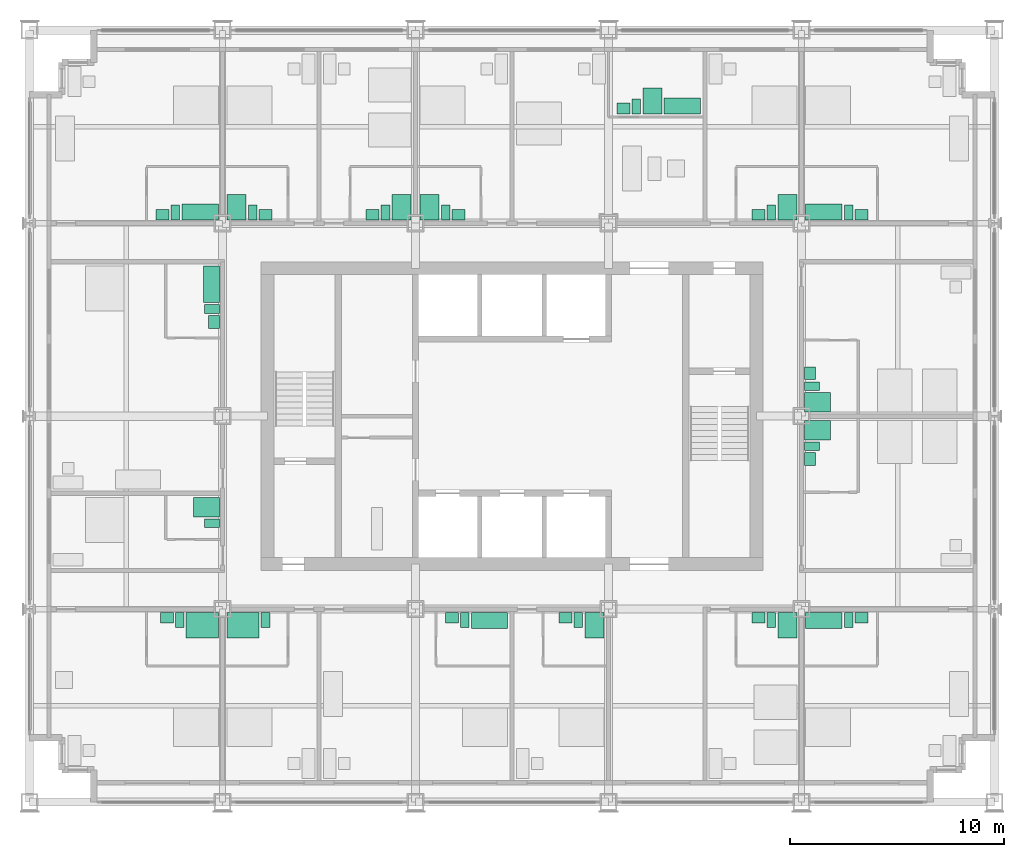
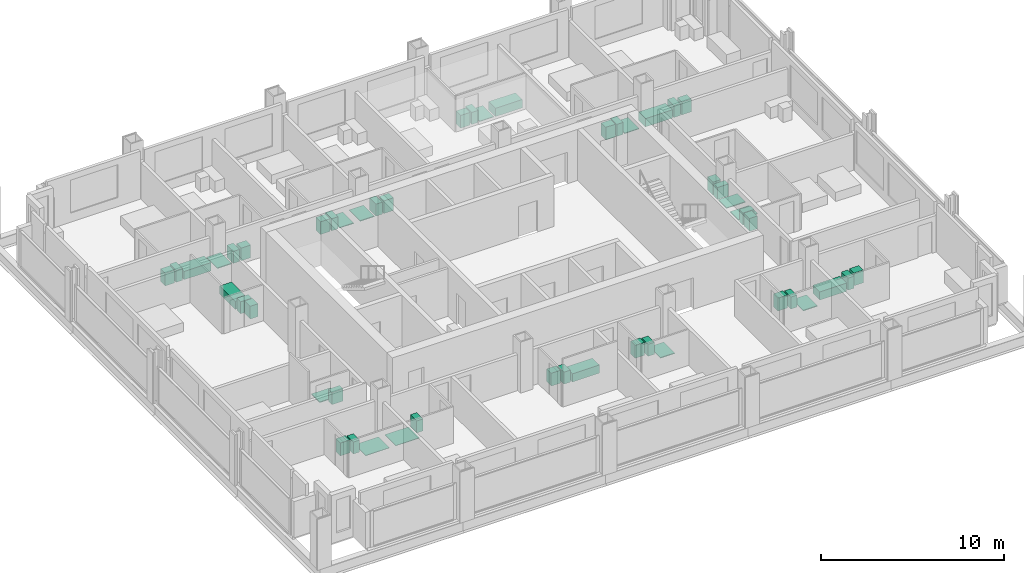
# One storey, part 15 of 16: 50 sanitary terminals.
"""IFC4 building model written with IfcOpenShell, lengths in metres."""

from ifc_helpers import new_model, si_unit, direction, frame, origin, origin_2d, place, context, subcontext, project, spatial, rectangle, extrude, element, save


model = new_model("IFC4")

# Units and contexts
model_context = context("Model", 3, precision=1e-05, world=origin(), true_north=direction((0.0, 1.0)))
body_context = subcontext(model_context, "Body", "Model", "MODEL_VIEW")
ifc_project = project(units=[si_unit("LENGTHUNIT", "METRE"), si_unit("AREAUNIT", "SQUARE_METRE"), si_unit("VOLUMEUNIT", "CUBIC_METRE"), si_unit("PLANEANGLEUNIT", "RADIAN"), si_unit("MASSUNIT", "GRAM", prefix="KILO")], contexts=[model_context])

# Site, building, storey
site_placement = place(None, origin())
site = spatial("IfcSite", under=ifc_project, at=site_placement, CompositionType="ELEMENT")
building_placement = place(site_placement, origin())
building = spatial("IfcBuilding", under=site, at=building_placement, Name="Loomwork Tower", CompositionType="ELEMENT")
storey_placement = place(building_placement, frame((0.0, 0.0, 104.39990234375)))
storey = spatial("IfcBuildingStorey", under=building, at=storey_placement, Name="L27", CompositionType="ELEMENT", Elevation=104.39990234375)

# Sanitary terminals
sanitary_terminal_1_placement = place(storey_placement, frame((8.050048828125, 8.25, 0.0), z_axis=(0.0, 0.0, 1.0), x_axis=(1.0, 0.0, 0.0)))
element("IfcSanitaryTerminal", 1, at=sanitary_terminal_1_placement, inside=storey, Name="Roll-in shower floor L27", PredefinedType="SHOWER", context=body_context, shape_type="SweptSolid", body=[
    extrude(rectangle(XDim=1.5, YDim=1.199951171875, at=origin_2d()), origin(), (0.0, 0.0, 1.0), 0.030029296875),
])
sanitary_terminal_2_placement = place(storey_placement, frame((7.0, 8.5, 0.0), z_axis=(0.0, 0.0, 1.0), x_axis=(1.0, 0.0, 0.0)))
element("IfcSanitaryTerminal", 2, at=sanitary_terminal_2_placement, inside=storey, Name="WC L27", PredefinedType="TOILETPAN", context=body_context, shape_type="SweptSolid", body=[
    extrude(rectangle(XDim=0.39990234375, YDim=0.699951171875, at=origin_2d()), origin(), (0.0, 0.0, 1.0), 0.800048828125),
])
sanitary_terminal_3_placement = place(storey_placement, frame((6.39990234375, 8.60009765625, 0.0), z_axis=(0.0, 0.0, 1.0), x_axis=(1.0, 0.0, 0.0)))
element("IfcSanitaryTerminal", 3, at=sanitary_terminal_3_placement, inside=storey, Name="Basin vanity L27", PredefinedType="WASHHANDBASIN", context=body_context, shape_type="SweptSolid", body=[
    extrude(rectangle(XDim=0.60009765625, YDim=0.5, at=origin_2d()), origin(), (0.0, 0.0, 1.0), 0.85009765625),
])
sanitary_terminal_4_placement = place(storey_placement, frame((9.949951171875, 8.25, 0.0), z_axis=(0.0, 0.0, 1.0), x_axis=(1.0, 0.0, 0.0)))
element("IfcSanitaryTerminal", 4, at=sanitary_terminal_4_placement, inside=storey, Name="Roll-in shower floor L27", PredefinedType="SHOWER", context=body_context, shape_type="SweptSolid", body=[
    extrude(rectangle(XDim=1.5, YDim=1.199951171875, at=origin_2d()), origin(), (0.0, 0.0, 1.0), 0.030029296875),
])
sanitary_terminal_5_placement = place(storey_placement, frame((11.0, 8.5, 0.0), z_axis=(0.0, 0.0, 1.0), x_axis=(1.0, 0.0, 0.0)))
element("IfcSanitaryTerminal", 5, at=sanitary_terminal_5_placement, inside=storey, Name="WC L27", PredefinedType="TOILETPAN", context=body_context, shape_type="SweptSolid", body=[
    extrude(rectangle(XDim=0.39990234375, YDim=0.699951171875, at=origin_2d()), origin(), (0.0, 0.0, 1.0), 0.800048828125),
])
sanitary_terminal_6_placement = place(storey_placement, frame((21.449951171875, 8.47509765625, 0.0), z_axis=(0.0, 0.0, 1.0), x_axis=(1.0, 0.0, 0.0)))
element("IfcSanitaryTerminal", 6, at=sanitary_terminal_6_placement, inside=storey, Name="Bath L27", PredefinedType="BATH", context=body_context, shape_type="SweptSolid", body=[
    extrude(rectangle(XDim=1.699951171875, YDim=0.75, at=origin_2d()), origin(), (0.0, 0.0, 1.0), 0.550048828125),
])
sanitary_terminal_7_placement = place(storey_placement, frame((20.300048828125, 8.5, 0.0), z_axis=(0.0, 0.0, 1.0), x_axis=(1.0, 0.0, 0.0)))
element("IfcSanitaryTerminal", 7, at=sanitary_terminal_7_placement, inside=storey, Name="WC L27", PredefinedType="TOILETPAN", context=body_context, shape_type="SweptSolid", body=[
    extrude(rectangle(XDim=0.39990234375, YDim=0.699951171875, at=origin_2d()), origin(), (0.0, 0.0, 1.0), 0.800048828125),
])
sanitary_terminal_8_placement = place(storey_placement, frame((19.699951171875, 8.60009765625, 0.0), z_axis=(0.0, 0.0, 1.0), x_axis=(1.0, 0.0, 0.0)))
element("IfcSanitaryTerminal", 8, at=sanitary_terminal_8_placement, inside=storey, Name="Basin vanity L27", PredefinedType="WASHHANDBASIN", context=body_context, shape_type="SweptSolid", body=[
    extrude(rectangle(XDim=0.60009765625, YDim=0.5, at=origin_2d()), origin(), (0.0, 0.0, 1.0), 0.85009765625),
])
sanitary_terminal_9_placement = place(storey_placement, frame((26.35009765625, 8.25, 0.0), z_axis=(0.0, 0.0, 1.0), x_axis=(1.0, 0.0, 0.0)))
element("IfcSanitaryTerminal", 9, at=sanitary_terminal_9_placement, inside=storey, Name="Shower tray L27", PredefinedType="SHOWER", context=body_context, shape_type="SweptSolid", body=[
    extrude(rectangle(XDim=0.89990234375, YDim=1.199951171875, at=origin_2d()), origin(), (0.0, 0.0, 1.0), 0.050048828125),
])
sanitary_terminal_10_placement = place(storey_placement, frame((25.60009765625, 8.5, 0.0), z_axis=(0.0, 0.0, 1.0), x_axis=(1.0, 0.0, 0.0)))
element("IfcSanitaryTerminal", 10, at=sanitary_terminal_10_placement, inside=storey, Name="WC L27", PredefinedType="TOILETPAN", context=body_context, shape_type="SweptSolid", body=[
    extrude(rectangle(XDim=0.39990234375, YDim=0.699951171875, at=origin_2d()), origin(), (0.0, 0.0, 1.0), 0.800048828125),
])
sanitary_terminal_11_placement = place(storey_placement, frame((25.0, 8.60009765625, 0.0), z_axis=(0.0, 0.0, 1.0), x_axis=(1.0, 0.0, 0.0)))
element("IfcSanitaryTerminal", 11, at=sanitary_terminal_11_placement, inside=storey, Name="Basin vanity L27", PredefinedType="WASHHANDBASIN", context=body_context, shape_type="SweptSolid", body=[
    extrude(rectangle(XDim=0.60009765625, YDim=0.5, at=origin_2d()), origin(), (0.0, 0.0, 1.0), 0.85009765625),
])
sanitary_terminal_12_placement = place(storey_placement, frame((35.35009765625, 8.25, 0.0), z_axis=(0.0, 0.0, 1.0), x_axis=(1.0, 0.0, 0.0)))
element("IfcSanitaryTerminal", 12, at=sanitary_terminal_12_placement, inside=storey, Name="Shower tray L27", PredefinedType="SHOWER", context=body_context, shape_type="SweptSolid", body=[
    extrude(rectangle(XDim=0.89990234375, YDim=1.199951171875, at=origin_2d()), origin(), (0.0, 0.0, 1.0), 0.050048828125),
])
sanitary_terminal_13_placement = place(storey_placement, frame((34.60009765625, 8.5, 0.0), z_axis=(0.0, 0.0, 1.0), x_axis=(1.0, 0.0, 0.0)))
element("IfcSanitaryTerminal", 13, at=sanitary_terminal_13_placement, inside=storey, Name="WC L27", PredefinedType="TOILETPAN", context=body_context, shape_type="SweptSolid", body=[
    extrude(rectangle(XDim=0.39990234375, YDim=0.699951171875, at=origin_2d()), origin(), (0.0, 0.0, 1.0), 0.800048828125),
])
sanitary_terminal_14_placement = place(storey_placement, frame((34.0, 8.60009765625, 0.0), z_axis=(0.0, 0.0, 1.0), x_axis=(1.0, 0.0, 0.0)))
element("IfcSanitaryTerminal", 14, at=sanitary_terminal_14_placement, inside=storey, Name="Basin vanity L27", PredefinedType="WASHHANDBASIN", context=body_context, shape_type="SweptSolid", body=[
    extrude(rectangle(XDim=0.60009765625, YDim=0.5, at=origin_2d()), origin(), (0.0, 0.0, 1.0), 0.85009765625),
])
sanitary_terminal_15_placement = place(storey_placement, frame((37.050048828125, 8.47509765625, 0.0), z_axis=(0.0, 0.0, 1.0), x_axis=(1.0, 0.0, 0.0)))
element("IfcSanitaryTerminal", 15, at=sanitary_terminal_15_placement, inside=storey, Name="Bath L27", PredefinedType="BATH", context=body_context, shape_type="SweptSolid", body=[
    extrude(rectangle(XDim=1.699951171875, YDim=0.75, at=origin_2d()), origin(), (0.0, 0.0, 1.0), 0.550048828125),
])
sanitary_terminal_16_placement = place(storey_placement, frame((38.199951171875, 8.5, 0.0), z_axis=(0.0, 0.0, 1.0), x_axis=(1.0, 0.0, 0.0)))
element("IfcSanitaryTerminal", 16, at=sanitary_terminal_16_placement, inside=storey, Name="WC L27", PredefinedType="TOILETPAN", context=body_context, shape_type="SweptSolid", body=[
    extrude(rectangle(XDim=0.39990234375, YDim=0.699951171875, at=origin_2d()), origin(), (0.0, 0.0, 1.0), 0.800048828125),
])
sanitary_terminal_17_placement = place(storey_placement, frame((38.800048828125, 8.60009765625, 0.0), z_axis=(0.0, 0.0, 1.0), x_axis=(1.0, 0.0, 0.0)))
element("IfcSanitaryTerminal", 17, at=sanitary_terminal_17_placement, inside=storey, Name="Basin vanity L27", PredefinedType="WASHHANDBASIN", context=body_context, shape_type="SweptSolid", body=[
    extrude(rectangle(XDim=0.60009765625, YDim=0.5, at=origin_2d()), origin(), (0.0, 0.0, 1.0), 0.85009765625),
])
sanitary_terminal_18_placement = place(storey_placement, frame((7.949951171875, 27.52490234375, 0.0), z_axis=(0.0, 0.0, 1.0), x_axis=(1.0, 0.0, 0.0)))
element("IfcSanitaryTerminal", 18, at=sanitary_terminal_18_placement, inside=storey, Name="Bath L27", PredefinedType="BATH", context=body_context, shape_type="SweptSolid", body=[
    extrude(rectangle(XDim=1.699951171875, YDim=0.75, at=origin_2d()), origin(), (0.0, 0.0, 1.0), 0.550048828125),
])
sanitary_terminal_19_placement = place(storey_placement, frame((6.800048828125, 27.5, 0.0), z_axis=(0.0, 0.0, 1.0), x_axis=(1.0, 0.0, 0.0)))
element("IfcSanitaryTerminal", 19, at=sanitary_terminal_19_placement, inside=storey, Name="WC L27", PredefinedType="TOILETPAN", context=body_context, shape_type="SweptSolid", body=[
    extrude(rectangle(XDim=0.39990234375, YDim=0.699951171875, at=origin_2d()), origin(), (0.0, 0.0, 1.0), 0.800048828125),
])
sanitary_terminal_20_placement = place(storey_placement, frame((6.199951171875, 27.39990234375, 0.0), z_axis=(0.0, 0.0, 1.0), x_axis=(1.0, 0.0, 0.0)))
element("IfcSanitaryTerminal", 20, at=sanitary_terminal_20_placement, inside=storey, Name="Basin vanity L27", PredefinedType="WASHHANDBASIN", context=body_context, shape_type="SweptSolid", body=[
    extrude(rectangle(XDim=0.60009765625, YDim=0.5, at=origin_2d()), origin(), (0.0, 0.0, 1.0), 0.85009765625),
])
sanitary_terminal_21_placement = place(storey_placement, frame((9.64990234375, 27.75, 0.0), z_axis=(0.0, 0.0, 1.0), x_axis=(1.0, 0.0, 0.0)))
element("IfcSanitaryTerminal", 21, at=sanitary_terminal_21_placement, inside=storey, Name="Shower tray L27", PredefinedType="SHOWER", context=body_context, shape_type="SweptSolid", body=[
    extrude(rectangle(XDim=0.89990234375, YDim=1.199951171875, at=origin_2d()), origin(), (0.0, 0.0, 1.0), 0.050048828125),
])
sanitary_terminal_22_placement = place(storey_placement, frame((10.39990234375, 27.5, 0.0), z_axis=(0.0, 0.0, 1.0), x_axis=(1.0, 0.0, 0.0)))
element("IfcSanitaryTerminal", 22, at=sanitary_terminal_22_placement, inside=storey, Name="WC L27", PredefinedType="TOILETPAN", context=body_context, shape_type="SweptSolid", body=[
    extrude(rectangle(XDim=0.39990234375, YDim=0.699951171875, at=origin_2d()), origin(), (0.0, 0.0, 1.0), 0.800048828125),
])
sanitary_terminal_23_placement = place(storey_placement, frame((11.0, 27.39990234375, 0.0), z_axis=(0.0, 0.0, 1.0), x_axis=(1.0, 0.0, 0.0)))
element("IfcSanitaryTerminal", 23, at=sanitary_terminal_23_placement, inside=storey, Name="Basin vanity L27", PredefinedType="WASHHANDBASIN", context=body_context, shape_type="SweptSolid", body=[
    extrude(rectangle(XDim=0.60009765625, YDim=0.5, at=origin_2d()), origin(), (0.0, 0.0, 1.0), 0.85009765625),
])
sanitary_terminal_24_placement = place(storey_placement, frame((17.35009765625, 27.75, 0.0), z_axis=(0.0, 0.0, 1.0), x_axis=(1.0, 0.0, 0.0)))
element("IfcSanitaryTerminal", 24, at=sanitary_terminal_24_placement, inside=storey, Name="Shower tray L27", PredefinedType="SHOWER", context=body_context, shape_type="SweptSolid", body=[
    extrude(rectangle(XDim=0.89990234375, YDim=1.199951171875, at=origin_2d()), origin(), (0.0, 0.0, 1.0), 0.050048828125),
])
sanitary_terminal_25_placement = place(storey_placement, frame((16.60009765625, 27.5, 0.0), z_axis=(0.0, 0.0, 1.0), x_axis=(1.0, 0.0, 0.0)))
element("IfcSanitaryTerminal", 25, at=sanitary_terminal_25_placement, inside=storey, Name="WC L27", PredefinedType="TOILETPAN", context=body_context, shape_type="SweptSolid", body=[
    extrude(rectangle(XDim=0.39990234375, YDim=0.699951171875, at=origin_2d()), origin(), (0.0, 0.0, 1.0), 0.800048828125),
])
sanitary_terminal_26_placement = place(storey_placement, frame((16.0, 27.39990234375, 0.0), z_axis=(0.0, 0.0, 1.0), x_axis=(1.0, 0.0, 0.0)))
element("IfcSanitaryTerminal", 26, at=sanitary_terminal_26_placement, inside=storey, Name="Basin vanity L27", PredefinedType="WASHHANDBASIN", context=body_context, shape_type="SweptSolid", body=[
    extrude(rectangle(XDim=0.60009765625, YDim=0.5, at=origin_2d()), origin(), (0.0, 0.0, 1.0), 0.85009765625),
])
sanitary_terminal_27_placement = place(storey_placement, frame((18.64990234375, 27.75, 0.0), z_axis=(0.0, 0.0, 1.0), x_axis=(1.0, 0.0, 0.0)))
element("IfcSanitaryTerminal", 27, at=sanitary_terminal_27_placement, inside=storey, Name="Shower tray L27", PredefinedType="SHOWER", context=body_context, shape_type="SweptSolid", body=[
    extrude(rectangle(XDim=0.89990234375, YDim=1.199951171875, at=origin_2d()), origin(), (0.0, 0.0, 1.0), 0.050048828125),
])
sanitary_terminal_28_placement = place(storey_placement, frame((19.39990234375, 27.5, 0.0), z_axis=(0.0, 0.0, 1.0), x_axis=(1.0, 0.0, 0.0)))
element("IfcSanitaryTerminal", 28, at=sanitary_terminal_28_placement, inside=storey, Name="WC L27", PredefinedType="TOILETPAN", context=body_context, shape_type="SweptSolid", body=[
    extrude(rectangle(XDim=0.39990234375, YDim=0.699951171875, at=origin_2d()), origin(), (0.0, 0.0, 1.0), 0.800048828125),
])
sanitary_terminal_29_placement = place(storey_placement, frame((20.0, 27.39990234375, 0.0), z_axis=(0.0, 0.0, 1.0), x_axis=(1.0, 0.0, 0.0)))
element("IfcSanitaryTerminal", 29, at=sanitary_terminal_29_placement, inside=storey, Name="Basin vanity L27", PredefinedType="WASHHANDBASIN", context=body_context, shape_type="SweptSolid", body=[
    extrude(rectangle(XDim=0.60009765625, YDim=0.5, at=origin_2d()), origin(), (0.0, 0.0, 1.0), 0.85009765625),
])
sanitary_terminal_30_placement = place(storey_placement, frame((30.449951171875, 32.47509765625, 0.0), z_axis=(0.0, 0.0, 1.0), x_axis=(1.0, 0.0, 0.0)))
element("IfcSanitaryTerminal", 30, at=sanitary_terminal_30_placement, inside=storey, Name="Bath L27", PredefinedType="BATH", context=body_context, shape_type="SweptSolid", body=[
    extrude(rectangle(XDim=1.699951171875, YDim=0.75, at=origin_2d()), origin(), (0.0, 0.0, 1.0), 0.550048828125),
])
sanitary_terminal_31_placement = place(storey_placement, frame((29.050048828125, 32.699951171875, 0.0), z_axis=(0.0, 0.0, 1.0), x_axis=(1.0, 0.0, 0.0)))
element("IfcSanitaryTerminal", 31, at=sanitary_terminal_31_placement, inside=storey, Name="Shower tray L27", PredefinedType="SHOWER", context=body_context, shape_type="SweptSolid", body=[
    extrude(rectangle(XDim=0.89990234375, YDim=1.199951171875, at=origin_2d()), origin(), (0.0, 0.0, 1.0), 0.050048828125),
])
sanitary_terminal_32_placement = place(storey_placement, frame((28.300048828125, 32.449951171875, 0.0), z_axis=(0.0, 0.0, 1.0), x_axis=(1.0, 0.0, 0.0)))
element("IfcSanitaryTerminal", 32, at=sanitary_terminal_32_placement, inside=storey, Name="WC L27", PredefinedType="TOILETPAN", context=body_context, shape_type="SweptSolid", body=[
    extrude(rectangle(XDim=0.39990234375, YDim=0.699951171875, at=origin_2d()), origin(), (0.0, 0.0, 1.0), 0.800048828125),
])
sanitary_terminal_33_placement = place(storey_placement, frame((27.699951171875, 32.35009765625, 0.0), z_axis=(0.0, 0.0, 1.0), x_axis=(1.0, 0.0, 0.0)))
element("IfcSanitaryTerminal", 33, at=sanitary_terminal_33_placement, inside=storey, Name="Basin vanity L27", PredefinedType="WASHHANDBASIN", context=body_context, shape_type="SweptSolid", body=[
    extrude(rectangle(XDim=0.60009765625, YDim=0.5, at=origin_2d()), origin(), (0.0, 0.0, 1.0), 0.85009765625),
])
sanitary_terminal_34_placement = place(storey_placement, frame((35.35009765625, 27.75, 0.0), z_axis=(0.0, 0.0, 1.0), x_axis=(1.0, 0.0, 0.0)))
element("IfcSanitaryTerminal", 34, at=sanitary_terminal_34_placement, inside=storey, Name="Shower tray L27", PredefinedType="SHOWER", context=body_context, shape_type="SweptSolid", body=[
    extrude(rectangle(XDim=0.89990234375, YDim=1.199951171875, at=origin_2d()), origin(), (0.0, 0.0, 1.0), 0.050048828125),
])
sanitary_terminal_35_placement = place(storey_placement, frame((34.60009765625, 27.5, 0.0), z_axis=(0.0, 0.0, 1.0), x_axis=(1.0, 0.0, 0.0)))
element("IfcSanitaryTerminal", 35, at=sanitary_terminal_35_placement, inside=storey, Name="WC L27", PredefinedType="TOILETPAN", context=body_context, shape_type="SweptSolid", body=[
    extrude(rectangle(XDim=0.39990234375, YDim=0.699951171875, at=origin_2d()), origin(), (0.0, 0.0, 1.0), 0.800048828125),
])
sanitary_terminal_36_placement = place(storey_placement, frame((34.0, 27.39990234375, 0.0), z_axis=(0.0, 0.0, 1.0), x_axis=(1.0, 0.0, 0.0)))
element("IfcSanitaryTerminal", 36, at=sanitary_terminal_36_placement, inside=storey, Name="Basin vanity L27", PredefinedType="WASHHANDBASIN", context=body_context, shape_type="SweptSolid", body=[
    extrude(rectangle(XDim=0.60009765625, YDim=0.5, at=origin_2d()), origin(), (0.0, 0.0, 1.0), 0.85009765625),
])
sanitary_terminal_37_placement = place(storey_placement, frame((37.050048828125, 27.52490234375, 0.0), z_axis=(0.0, 0.0, 1.0), x_axis=(1.0, 0.0, 0.0)))
element("IfcSanitaryTerminal", 37, at=sanitary_terminal_37_placement, inside=storey, Name="Bath L27", PredefinedType="BATH", context=body_context, shape_type="SweptSolid", body=[
    extrude(rectangle(XDim=1.699951171875, YDim=0.75, at=origin_2d()), origin(), (0.0, 0.0, 1.0), 0.550048828125),
])
sanitary_terminal_38_placement = place(storey_placement, frame((38.199951171875, 27.5, 0.0), z_axis=(0.0, 0.0, 1.0), x_axis=(1.0, 0.0, 0.0)))
element("IfcSanitaryTerminal", 38, at=sanitary_terminal_38_placement, inside=storey, Name="WC L27", PredefinedType="TOILETPAN", context=body_context, shape_type="SweptSolid", body=[
    extrude(rectangle(XDim=0.39990234375, YDim=0.699951171875, at=origin_2d()), origin(), (0.0, 0.0, 1.0), 0.800048828125),
])
sanitary_terminal_39_placement = place(storey_placement, frame((38.800048828125, 27.39990234375, 0.0), z_axis=(0.0, 0.0, 1.0), x_axis=(1.0, 0.0, 0.0)))
element("IfcSanitaryTerminal", 39, at=sanitary_terminal_39_placement, inside=storey, Name="Basin vanity L27", PredefinedType="WASHHANDBASIN", context=body_context, shape_type="SweptSolid", body=[
    extrude(rectangle(XDim=0.60009765625, YDim=0.5, at=origin_2d()), origin(), (0.0, 0.0, 1.0), 0.85009765625),
])
sanitary_terminal_40_placement = place(storey_placement, frame((8.25, 13.75, 0.0), z_axis=(0.0, 0.0, 1.0), x_axis=(1.0, 0.0, 0.0)))
element("IfcSanitaryTerminal", 40, at=sanitary_terminal_40_placement, inside=storey, Name="Shower tray L27", PredefinedType="SHOWER", context=body_context, shape_type="SweptSolid", body=[
    extrude(rectangle(XDim=1.199951171875, YDim=0.89990234375, at=origin_2d()), origin(), (0.0, 0.0, 1.0), 0.050048828125),
])
sanitary_terminal_41_placement = place(storey_placement, frame((8.5, 13.0, 0.0), z_axis=(0.0, 0.0, 1.0), x_axis=(1.0, 0.0, 0.0)))
element("IfcSanitaryTerminal", 41, at=sanitary_terminal_41_placement, inside=storey, Name="WC L27", PredefinedType="TOILETPAN", context=body_context, shape_type="SweptSolid", body=[
    extrude(rectangle(XDim=0.699951171875, YDim=0.39990234375, at=origin_2d()), origin(), (0.0, 0.0, 1.0), 0.800048828125),
])
sanitary_terminal_42_placement = place(storey_placement, frame((8.47509765625, 24.14990234375, 0.0), z_axis=(0.0, 0.0, 1.0), x_axis=(1.0, 0.0, 0.0)))
element("IfcSanitaryTerminal", 42, at=sanitary_terminal_42_placement, inside=storey, Name="Bath L27", PredefinedType="BATH", context=body_context, shape_type="SweptSolid", body=[
    extrude(rectangle(XDim=0.75, YDim=1.699951171875, at=origin_2d()), origin(), (0.0, 0.0, 1.0), 0.550048828125),
])
sanitary_terminal_43_placement = place(storey_placement, frame((8.5, 23.0, 0.0), z_axis=(0.0, 0.0, 1.0), x_axis=(1.0, 0.0, 0.0)))
element("IfcSanitaryTerminal", 43, at=sanitary_terminal_43_placement, inside=storey, Name="WC L27", PredefinedType="TOILETPAN", context=body_context, shape_type="SweptSolid", body=[
    extrude(rectangle(XDim=0.699951171875, YDim=0.39990234375, at=origin_2d()), origin(), (0.0, 0.0, 1.0), 0.800048828125),
])
sanitary_terminal_44_placement = place(storey_placement, frame((8.60009765625, 22.39990234375, 0.0), z_axis=(0.0, 0.0, 1.0), x_axis=(1.0, 0.0, 0.0)))
element("IfcSanitaryTerminal", 44, at=sanitary_terminal_44_placement, inside=storey, Name="Basin vanity L27", PredefinedType="WASHHANDBASIN", context=body_context, shape_type="SweptSolid", body=[
    extrude(rectangle(XDim=0.5, YDim=0.60009765625, at=origin_2d()), origin(), (0.0, 0.0, 1.0), 0.85009765625),
])
sanitary_terminal_45_placement = place(storey_placement, frame((36.75, 17.35009765625, 0.0), z_axis=(0.0, 0.0, 1.0), x_axis=(1.0, 0.0, 0.0)))
element("IfcSanitaryTerminal", 45, at=sanitary_terminal_45_placement, inside=storey, Name="Shower tray L27", PredefinedType="SHOWER", context=body_context, shape_type="SweptSolid", body=[
    extrude(rectangle(XDim=1.199951171875, YDim=0.89990234375, at=origin_2d()), origin(), (0.0, 0.0, 1.0), 0.050048828125),
])
sanitary_terminal_46_placement = place(storey_placement, frame((36.5, 16.60009765625, 0.0), z_axis=(0.0, 0.0, 1.0), x_axis=(1.0, 0.0, 0.0)))
element("IfcSanitaryTerminal", 46, at=sanitary_terminal_46_placement, inside=storey, Name="WC L27", PredefinedType="TOILETPAN", context=body_context, shape_type="SweptSolid", body=[
    extrude(rectangle(XDim=0.699951171875, YDim=0.39990234375, at=origin_2d()), origin(), (0.0, 0.0, 1.0), 0.800048828125),
])
sanitary_terminal_47_placement = place(storey_placement, frame((36.39990234375, 16.0, 0.0), z_axis=(0.0, 0.0, 1.0), x_axis=(1.0, 0.0, 0.0)))
element("IfcSanitaryTerminal", 47, at=sanitary_terminal_47_placement, inside=storey, Name="Basin vanity L27", PredefinedType="WASHHANDBASIN", context=body_context, shape_type="SweptSolid", body=[
    extrude(rectangle(XDim=0.5, YDim=0.60009765625, at=origin_2d()), origin(), (0.0, 0.0, 1.0), 0.85009765625),
])
sanitary_terminal_48_placement = place(storey_placement, frame((36.75, 18.64990234375, 0.0), z_axis=(0.0, 0.0, 1.0), x_axis=(1.0, 0.0, 0.0)))
element("IfcSanitaryTerminal", 48, at=sanitary_terminal_48_placement, inside=storey, Name="Shower tray L27", PredefinedType="SHOWER", context=body_context, shape_type="SweptSolid", body=[
    extrude(rectangle(XDim=1.199951171875, YDim=0.89990234375, at=origin_2d()), origin(), (0.0, 0.0, 1.0), 0.050048828125),
])
sanitary_terminal_49_placement = place(storey_placement, frame((36.5, 19.39990234375, 0.0), z_axis=(0.0, 0.0, 1.0), x_axis=(1.0, 0.0, 0.0)))
element("IfcSanitaryTerminal", 49, at=sanitary_terminal_49_placement, inside=storey, Name="WC L27", PredefinedType="TOILETPAN", context=body_context, shape_type="SweptSolid", body=[
    extrude(rectangle(XDim=0.699951171875, YDim=0.39990234375, at=origin_2d()), origin(), (0.0, 0.0, 1.0), 0.800048828125),
])
sanitary_terminal_50_placement = place(storey_placement, frame((36.39990234375, 20.0, 0.0), z_axis=(0.0, 0.0, 1.0), x_axis=(1.0, 0.0, 0.0)))
element("IfcSanitaryTerminal", 50, at=sanitary_terminal_50_placement, inside=storey, Name="Basin vanity L27", PredefinedType="WASHHANDBASIN", context=body_context, shape_type="SweptSolid", body=[
    extrude(rectangle(XDim=0.5, YDim=0.60009765625, at=origin_2d()), origin(), (0.0, 0.0, 1.0), 0.85009765625),
])

save(model, "model.ifc")
